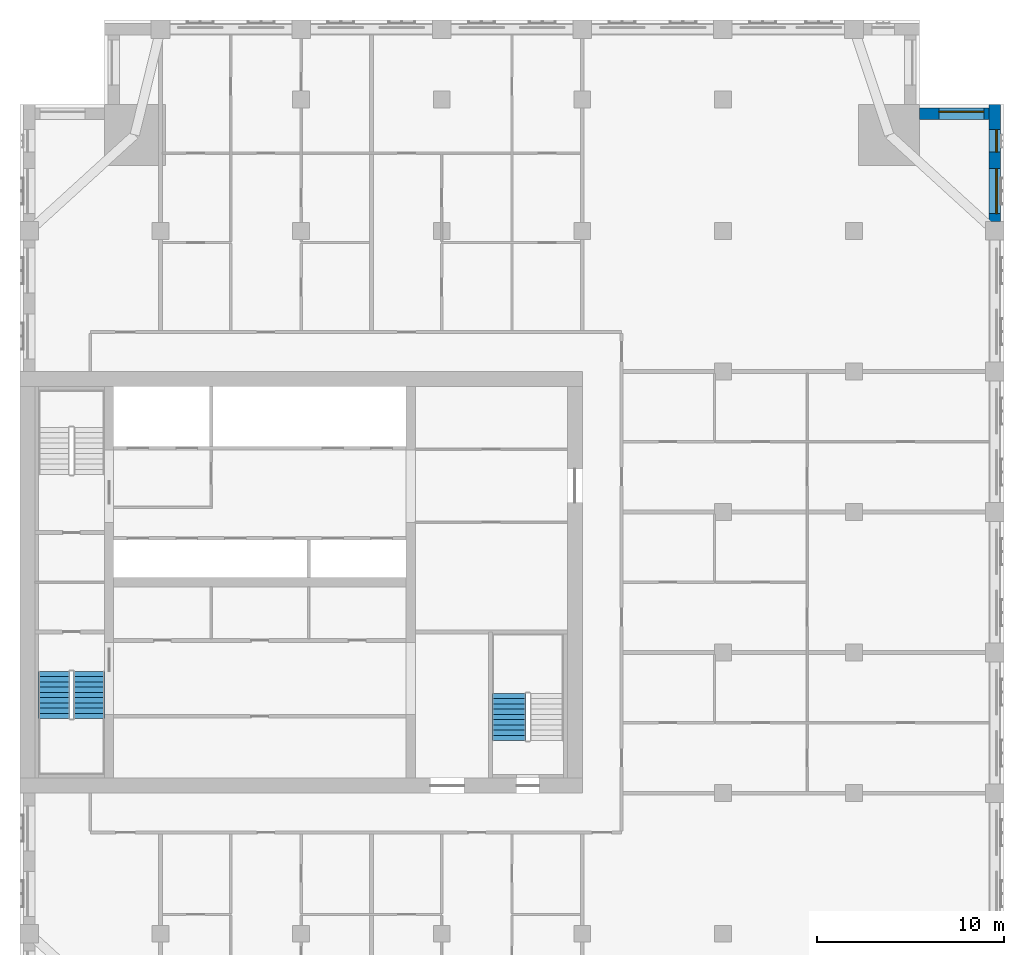
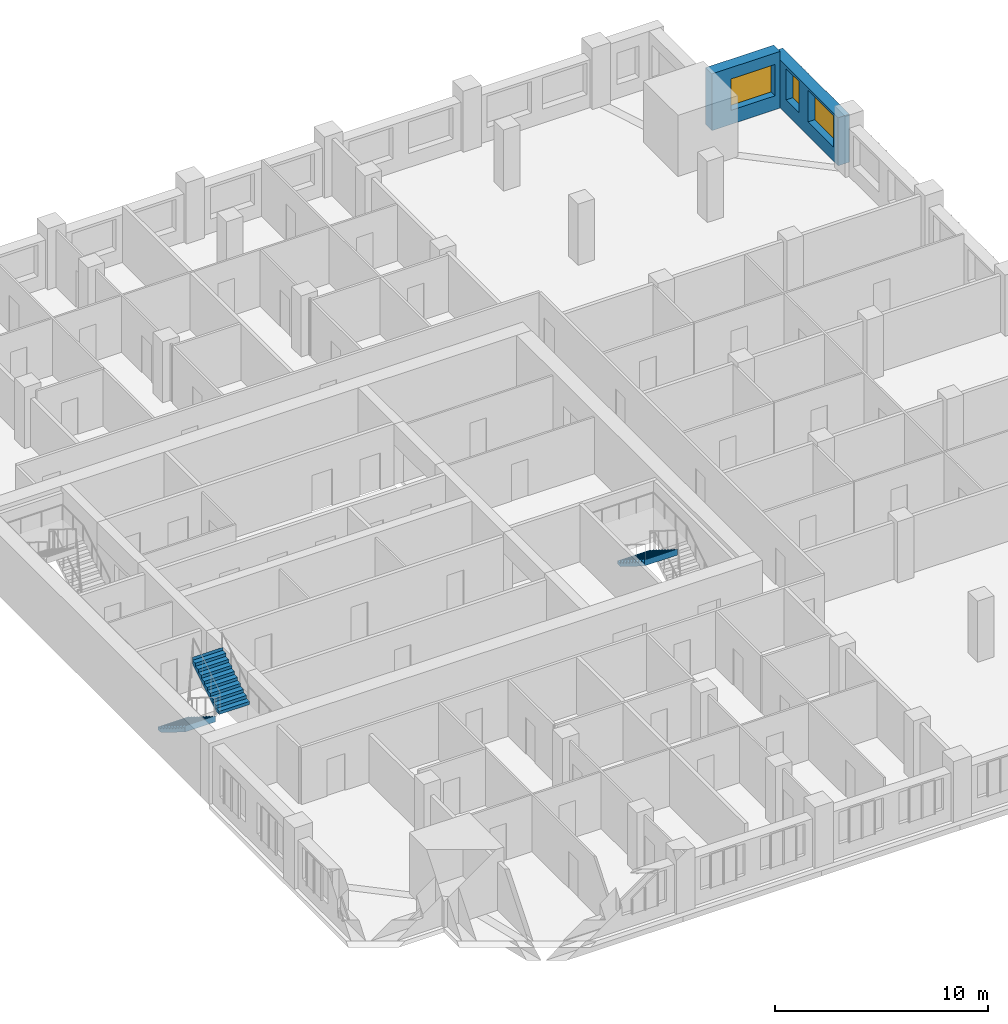
# One storey, part 12 of 14: 3 stair flights, 3 windows, 2 walls, 3 openings, 2 elements without a shape of their own.
"""IFC4 building model written with IfcOpenShell, lengths in metres."""

from ifc_helpers import new_model, si_unit, direction, frame, frame_2d, origin, place, context, subcontext, project, spatial, polyline, rectangle, outline, extrude, material, layer, layer_set, type_object, element, fill, aggregate, save


model = new_model("IFC4")

# Units and contexts
model_context = context("Model", 3, precision=1e-05, world=origin(), true_north=direction((0.0, 1.0)))
body_context = subcontext(model_context, "Body", "Model", "MODEL_VIEW")
ifc_project = project(units=[si_unit("LENGTHUNIT", "METRE"), si_unit("AREAUNIT", "SQUARE_METRE"), si_unit("VOLUMEUNIT", "CUBIC_METRE"), si_unit("PLANEANGLEUNIT", "RADIAN"), si_unit("MASSUNIT", "GRAM", prefix="KILO")], contexts=[model_context])

# Site, building, storey
site_placement = place(None, origin())
site = spatial("IfcSite", under=ifc_project, at=site_placement, CompositionType="ELEMENT")
building_placement = place(site_placement, origin())
building = spatial("IfcBuilding", under=site, at=building_placement, Name="Tamorin Gate", CompositionType="ELEMENT")
storey_placement = place(building_placement, frame((0.0, 0.0, 182.699951171875)))
storey = spatial("IfcBuildingStorey", under=building, at=storey_placement, Name="L44", CompositionType="ELEMENT", Elevation=182.699951171875)

# Wall, openings, windows
ifc_material_1 = material(Name="Precast concrete C40/50", Category="concrete")
ifc_layer = layer(ifc_material_1, 0.60009765625)
ifc_layer_set = layer_set([ifc_layer], Name="Precast concrete C40/50")
wall_type = type_object("IfcWallType", Name="Board-marked concrete facade panel 600", PredefinedType="SOLIDWALL", material=ifc_layer_set)
wall_1_placement = place(storey_placement, frame((82.0, 90.5, 0.0), z_axis=(0.0, 0.0, 1.0), x_axis=(0.0, 1.0, 0.0)))
wall_1 = element("IfcWall", 1, at=wall_1_placement, inside=storey, type_object=wall_type, Name="Facade panel", PredefinedType="SOLIDWALL", context=body_context, shape_type="SweptSolid", body=[
    extrude(rectangle(XDim=6.25, YDim=0.60009765625, at=frame_2d((3.125, 0.0))), origin(), (0.0, 0.0, 1.0), 2.75),
])
opening_1_placement = place(wall_1_placement, frame((0.425048828125, 0.0, 0.800048828125)))
opening_1 = element("IfcOpeningElement", 2, at=opening_1_placement, cuts=wall_1, Name="Opening WN1", PredefinedType="OPENING", context=body_context, shape_type="SweptSolid", body=[
    extrude(rectangle(XDim=2.39990234375, YDim=1.800048828125, at=frame_2d((1.199951171875, 0.89990234375))), frame((0.0, 0.31005859375, 0.0), z_axis=(0.0, -1.0, 0.0), x_axis=(1.0, 0.0, 0.0)), (0.0, 0.0, 1.0), 0.6201171875),
])
opening_2_placement = place(wall_1_placement, frame((3.699951171875, 0.0, 0.800048828125)))
opening_2 = element("IfcOpeningElement", 3, at=opening_2_placement, cuts=wall_1, Name="Opening WN3", PredefinedType="OPENING", context=body_context, shape_type="SweptSolid", body=[
    extrude(rectangle(XDim=1.199951171875, YDim=1.800048828125, at=frame_2d((0.60009765625, 0.89990234375))), frame((0.0, 0.31005859375, 0.0), z_axis=(0.0, -1.0, 0.0), x_axis=(1.0, 0.0, 0.0)), (0.0, 0.0, 1.0), 0.6201171875),
])
ifc_material_2 = material(Name="Clear glass in aluminium frame", Category="aluminium")
window_type_1 = type_object("IfcWindowType", Name="Deep-set window 1200x1800", PartitioningType="SINGLE_PANEL", PredefinedType="WINDOW", material=ifc_material_2)
window_1_placement = place(opening_2_placement, origin())
window_1 = element("IfcWindow", 4, at=window_1_placement, inside=storey, type_object=window_type_1, Name="Deep-set window", OverallHeight=1.800048828125, OverallWidth=1.199951171875, PartitioningType="SINGLE_PANEL", PredefinedType="WINDOW", context=body_context, shape_type="SweptSolid", body=[
    extrude(rectangle(XDim=1.199951171875, YDim=1.800048828125, at=frame_2d((0.60009765625, 0.89990234375))), frame((0.0, -0.070068359375, 0.0), z_axis=(0.0, -1.0, 0.0), x_axis=(1.0, 0.0, 0.0)), (0.0, 0.0, 1.0), 0.06005859375),
])
fill(opening_2, window_1)
window_type_2 = type_object("IfcWindowType", Name="Deep-set window 2400x1800", PartitioningType="SINGLE_PANEL", PredefinedType="WINDOW", material=ifc_material_2)
window_2_placement = place(opening_1_placement, origin())
window_2 = element("IfcWindow", 5, at=window_2_placement, inside=storey, type_object=window_type_2, Name="Deep-set window", OverallHeight=1.800048828125, OverallWidth=2.39990234375, PartitioningType="SINGLE_PANEL", PredefinedType="WINDOW", context=body_context, shape_type="SweptSolid", body=[
    extrude(rectangle(XDim=2.39990234375, YDim=1.800048828125, at=frame_2d((1.199951171875, 0.89990234375))), frame((0.0, -0.070068359375, 0.0), z_axis=(0.0, -1.0, 0.0), x_axis=(1.0, 0.0, 0.0)), (0.0, 0.0, 1.0), 0.06005859375),
])
fill(opening_1, window_2)

# Wall, opening, window
wall_2_placement = place(storey_placement, frame((81.699951171875, 96.25, 0.0), z_axis=(0.0, 0.0, 1.0), x_axis=(-1.0, 0.0, 0.0)))
wall_2 = element("IfcWall", 6, at=wall_2_placement, inside=storey, type_object=wall_type, Name="Facade panel", PredefinedType="SOLIDWALL", context=body_context, shape_type="SweptSolid", body=[
    extrude(rectangle(XDim=3.699951171875, YDim=0.60009765625, at=frame_2d((1.85009765625, 0.0))), origin(), (0.0, 0.0, 1.0), 3.25),
])
opening_3_placement = place(wall_2_placement, frame((0.27490234375, 0.0, 0.800048828125)))
opening_3 = element("IfcOpeningElement", 7, at=opening_3_placement, cuts=wall_2, Name="Opening WN1", PredefinedType="OPENING", context=body_context, shape_type="SweptSolid", body=[
    extrude(rectangle(XDim=2.39990234375, YDim=1.800048828125, at=frame_2d((1.199951171875, 0.89990234375))), frame((0.0, 0.31005859375, 0.0), z_axis=(0.0, -1.0, 0.0), x_axis=(1.0, 0.0, 0.0)), (0.0, 0.0, 1.0), 0.6201171875),
])
window_3_placement = place(opening_3_placement, origin())
window_3 = element("IfcWindow", 8, at=window_3_placement, inside=storey, type_object=window_type_2, Name="Deep-set window", OverallHeight=1.800048828125, OverallWidth=2.39990234375, PartitioningType="SINGLE_PANEL", PredefinedType="WINDOW", context=body_context, shape_type="SweptSolid", body=[
    extrude(rectangle(XDim=2.39990234375, YDim=1.800048828125, at=frame_2d((1.199951171875, 0.89990234375))), frame((0.0, -0.070068359375, 0.0), z_axis=(0.0, -1.0, 0.0), x_axis=(1.0, 0.0, 0.0)), (0.0, 0.0, 1.0), 0.06005859375),
])
fill(opening_3, window_3)

# Stair, stair flights
ifc_material_3 = material(Name="Concrete C40/50", Category="concrete")
stair_type = type_object("IfcStairType", Name="Exit stair", PredefinedType="HALF_TURN_STAIR", material=ifc_material_3)
stair_1_placement = place(storey_placement, origin())
stair_1 = element("IfcStair", 9, at=stair_1_placement, inside=storey, type_object=stair_type, Name="L44 stair ST1", PredefinedType="HALF_TURN_STAIR")
stair_flight_type = type_object("IfcStairFlightType", Name="Exit stair flight", PredefinedType="STRAIGHT", material=ifc_material_3)
stair_flight_1_placement = place(storey_placement, frame((31.824951171875, 66.5, 0.0), z_axis=(0.0, 0.0, 1.0), x_axis=(0.0, -1.0, 0.0)))
stair_flight_1 = element("IfcStairFlight", 10, at=stair_flight_1_placement, type_object=stair_flight_type, Name="ST1 flight 1", NumberOfRisers=10, NumberOfTreads=9, PredefinedType="STRAIGHT", RiserHeight=0.175, TreadLength=0.28, context=body_context, shape_type="SweptSolid", body=[
    extrude(outline(polyline([(-0.00048828125, 0.0), (-0.00048828125, 0.001708984375), (-0.00048828125, 0.00341796875), (-0.00048828125, 0.005126953125), (-0.00048828125, 0.0068359375), (-0.00048828125, 0.008544921875), (-0.00048828125, 0.010498046875), (-0.00048828125, 0.01220703125), (-0.00048828125, 0.013916015625), (-0.00048828125, 0.015625), (-0.00048828125, 0.017333984375), (-0.00048828125, 0.01904296875), (-0.00048828125, 0.020751953125), (-0.00048828125, 0.0224609375), (-0.00048828125, 0.024169921875), (-0.00048828125, 0.02587890625), (-0.00048828125, 0.02783203125), (-0.00048828125, 0.029541015625), (-0.00048828125, 0.03125), (-0.00048828125, 0.032958984375), (-0.00048828125, 0.03466796875), (-0.00048828125, 0.036376953125), (-0.00048828125, 0.0380859375), (-0.00048828125, 0.039794921875), (-0.00048828125, 0.04150390625), (-0.00048828125, 0.043212890625), (-0.00048828125, 0.045166015625), (-0.00048828125, 0.046875), (-0.00048828125, 0.048583984375), (-0.00048828125, 0.05029296875), (-0.00048828125, 0.052001953125), (-0.00048828125, 0.0537109375), (-0.00048828125, 0.055419921875), (-0.00048828125, 0.05712890625), (-0.00048828125, 0.058837890625), (-0.00048828125, 0.060546875), (-0.00048828125, 0.062255859375), (-0.00048828125, 0.064208984375), (-0.00048828125, 0.06591796875), (-0.00048828125, 0.067626953125), (-0.00048828125, 0.0693359375), (-0.00048828125, 0.071044921875), (-0.00048828125, 0.07275390625), (-0.00048828125, 0.074462890625), (-0.00048828125, 0.076171875), (-0.00048828125, 0.077880859375), (-0.00048828125, 0.07958984375), (-0.00048828125, 0.08154296875), (-0.00048828125, 0.083251953125), (-0.00048828125, 0.0849609375), (-0.00048828125, 0.086669921875), (-0.00048828125, 0.08837890625), (-0.00048828125, 0.090087890625), (-0.00048828125, 0.091796875), (-0.00048828125, 0.093505859375), (-0.00048828125, 0.09521484375), (-0.00048828125, 0.096923828125), (-0.00048828125, 0.098876953125), (-0.00048828125, 0.1005859375), (-0.00048828125, 0.102294921875), (-0.00048828125, 0.10400390625), (-0.00048828125, 0.105712890625), (-0.00048828125, 0.107421875), (-0.00048828125, 0.109130859375), (-0.00048828125, 0.11083984375), (-0.00048828125, 0.112548828125), (-0.00048828125, 0.1142578125), (-0.00048828125, 0.1162109375), (-0.00048828125, 0.117919921875), (-0.00048828125, 0.11962890625), (-0.00048828125, 0.121337890625), (-0.00048828125, 0.123046875), (-0.00048828125, 0.124755859375), (-0.00048828125, 0.12646484375), (-0.00048828125, 0.128173828125), (-0.00048828125, 0.1298828125), (-0.00048828125, 0.131591796875), (-0.00048828125, 0.13330078125), (-0.00048828125, 0.13525390625), (-0.00048828125, 0.136962890625), (-0.00048828125, 0.138671875), (-0.00048828125, 0.140380859375), (-0.00048828125, 0.14208984375), (-0.00048828125, 0.143798828125), (-0.00048828125, 0.1455078125), (-0.00048828125, 0.147216796875), (-0.00048828125, 0.14892578125), (-0.00048828125, 0.150634765625), (-0.00048828125, 0.152587890625), (-0.00048828125, 0.154296875), (-0.00048828125, 0.156005859375), (-0.00048828125, 0.15771484375), (-0.00048828125, 0.159423828125), (-0.00048828125, 0.1611328125), (-0.00048828125, 0.162841796875), (-0.00048828125, 0.16455078125), (-0.00048828125, 0.166259765625), (-0.00048828125, 0.16796875), (-0.00048828125, 0.169921875), (-0.00048828125, 0.171630859375), (-0.00048828125, 0.17333984375), (-0.00048828125, 0.175048828125), (0.280029296875, 0.175048828125), (0.280029296875, 0.35009765625), (0.56005859375, 0.35009765625), (0.56005859375, 0.52490234375), (0.840087890625, 0.52490234375), (0.840087890625, 0.699951171875), (1.1201171875, 0.699951171875), (1.1201171875, 0.875), (1.39990234375, 0.875), (1.39990234375, 1.050048828125), (1.679931640625, 1.050048828125), (1.679931640625, 1.22509765625), (1.9599609375, 1.22509765625), (1.9599609375, 1.39990234375), (2.239990234375, 1.39990234375), (2.239990234375, 1.574951171875), (2.52001953125, 1.574951171875), (2.52001953125, 1.75), (2.5205078125, 1.75), (2.5205078125, 1.74658203125), (2.5205078125, 1.742919921875), (2.5205078125, 1.739501953125), (2.5205078125, 1.736083984375), (2.5205078125, 1.732666015625), (2.5205078125, 1.72900390625), (2.5205078125, 1.7255859375), (2.5205078125, 1.72216796875), (2.5205078125, 1.71875), (2.5205078125, 1.715087890625), (2.5205078125, 1.711669921875), (2.5205078125, 1.708251953125), (2.5205078125, 1.704833984375), (2.5205078125, 1.701171875), (2.5205078125, 1.69775390625), (2.5205078125, 1.6943359375), (2.5205078125, 1.690673828125), (2.5205078125, 1.687255859375), (2.5205078125, 1.683837890625), (2.5205078125, 1.680419921875), (2.5205078125, 1.6767578125), (2.5205078125, 1.67333984375), (2.5205078125, 1.669921875), (2.5205078125, 1.66650390625), (2.5205078125, 1.662841796875), (2.5205078125, 1.659423828125), (2.5205078125, 1.656005859375), (2.5205078125, 1.652587890625), (2.5205078125, 1.64892578125), (2.5205078125, 1.6455078125), (2.5205078125, 1.64208984375), (2.5205078125, 1.638427734375), (2.5205078125, 1.635009765625), (2.5205078125, 1.631591796875), (2.5205078125, 1.628173828125), (2.5205078125, 1.62451171875), (2.5205078125, 1.62109375), (2.5205078125, 1.61767578125), (2.5205078125, 1.6142578125), (2.5205078125, 1.610595703125), (2.5205078125, 1.607177734375), (2.5205078125, 1.603759765625), (2.5205078125, 1.600341796875), (2.5205078125, 1.5966796875), (2.5205078125, 1.59326171875), (2.5205078125, 1.58984375), (2.5205078125, 1.58642578125), (2.5205078125, 1.582763671875), (2.5205078125, 1.579345703125), (2.5205078125, 1.575927734375), (2.5205078125, 1.572265625), (2.5205078125, 1.56884765625), (2.5205078125, 1.5654296875), (2.5205078125, 1.56201171875), (2.5205078125, 1.558349609375), (2.5205078125, 1.554931640625), (2.5205078125, 1.551513671875), (2.5205078125, 1.548095703125), (2.5205078125, 1.54443359375), (2.5205078125, 1.541015625), (2.5205078125, 1.53759765625), (2.5205078125, 1.5341796875), (2.5205078125, 1.530517578125), (2.5205078125, 1.527099609375), (2.5205078125, 1.523681640625), (2.5205078125, 1.52001953125), (2.5205078125, 1.5166015625), (2.5205078125, 1.51318359375), (2.5205078125, 1.509765625), (2.5205078125, 1.506103515625), (2.5205078125, 1.502685546875), (2.5205078125, 1.499267578125), (2.5205078125, 1.495849609375), (2.5205078125, 1.4921875), (2.5205078125, 1.48876953125), (2.5205078125, 1.4853515625), (2.5205078125, 1.48193359375), (2.5205078125, 1.478271484375), (2.5205078125, 1.474853515625), (2.5205078125, 1.471435546875), (2.5205078125, 1.4677734375), (2.5205078125, 1.46435546875), (2.5205078125, 1.4609375), (2.5205078125, 1.45751953125), (2.5205078125, 1.453857421875), (2.5205078125, 1.450439453125), (2.5205078125, 1.447021484375), (2.5205078125, 1.443603515625), (2.5205078125, 1.43994140625), (2.5205078125, 1.4365234375), (2.5205078125, 1.43310546875), (2.5205078125, 1.4296875), (2.5205078125, 1.426025390625), (2.5205078125, 1.422607421875), (2.5205078125, 1.419189453125), (2.5205078125, 1.41552734375), (2.5205078125, 1.412109375), (2.5205078125, 1.40869140625), (2.5205078125, 1.4052734375), (2.5205078125, 1.401611328125), (2.5205078125, 1.398193359375), (2.52001953125, 1.398193359375), (0.28271484375, 0.0), (-0.00048828125, 0.0)])), frame((0.0, 0.824951171875, 0.0), z_axis=(0.0, -1.0, 0.0), x_axis=(1.0, 0.0, 0.0)), (0.0, 0.0, 1.0), 1.64990234375),
])
stair_flight_2_placement = place(storey_placement, frame((33.675048828125, 63.97998046875, 1.75), z_axis=(0.0, 0.0, 1.0), x_axis=(0.0, 1.0, 0.0)))
stair_flight_2 = element("IfcStairFlight", 11, at=stair_flight_2_placement, type_object=stair_flight_type, Name="ST1 flight 2", NumberOfRisers=10, NumberOfTreads=9, PredefinedType="STRAIGHT", RiserHeight=0.175, TreadLength=0.28, context=body_context, shape_type="SweptSolid", body=[
    extrude(outline(polyline([(-0.00048828125, 0.0), (-0.00048828125, 0.001708984375), (-0.00048828125, 0.00341796875), (-0.00048828125, 0.005126953125), (-0.00048828125, 0.0068359375), (-0.00048828125, 0.008544921875), (-0.00048828125, 0.010498046875), (-0.00048828125, 0.01220703125), (-0.00048828125, 0.013916015625), (-0.00048828125, 0.015625), (-0.00048828125, 0.017333984375), (-0.00048828125, 0.01904296875), (-0.00048828125, 0.020751953125), (-0.00048828125, 0.0224609375), (-0.00048828125, 0.024169921875), (-0.00048828125, 0.02587890625), (-0.00048828125, 0.02783203125), (-0.00048828125, 0.029541015625), (-0.00048828125, 0.03125), (-0.00048828125, 0.032958984375), (-0.00048828125, 0.03466796875), (-0.00048828125, 0.036376953125), (-0.00048828125, 0.0380859375), (-0.00048828125, 0.039794921875), (-0.00048828125, 0.04150390625), (-0.00048828125, 0.043212890625), (-0.00048828125, 0.045166015625), (-0.00048828125, 0.046875), (-0.00048828125, 0.048583984375), (-0.00048828125, 0.05029296875), (-0.00048828125, 0.052001953125), (-0.00048828125, 0.0537109375), (-0.00048828125, 0.055419921875), (-0.00048828125, 0.05712890625), (-0.00048828125, 0.058837890625), (-0.00048828125, 0.060546875), (-0.00048828125, 0.062255859375), (-0.00048828125, 0.064208984375), (-0.00048828125, 0.06591796875), (-0.00048828125, 0.067626953125), (-0.00048828125, 0.0693359375), (-0.00048828125, 0.071044921875), (-0.00048828125, 0.07275390625), (-0.00048828125, 0.074462890625), (-0.00048828125, 0.076171875), (-0.00048828125, 0.077880859375), (-0.00048828125, 0.07958984375), (-0.00048828125, 0.08154296875), (-0.00048828125, 0.083251953125), (-0.00048828125, 0.0849609375), (-0.00048828125, 0.086669921875), (-0.00048828125, 0.08837890625), (-0.00048828125, 0.090087890625), (-0.00048828125, 0.091796875), (-0.00048828125, 0.093505859375), (-0.00048828125, 0.09521484375), (-0.00048828125, 0.096923828125), (-0.00048828125, 0.098876953125), (-0.00048828125, 0.1005859375), (-0.00048828125, 0.102294921875), (-0.00048828125, 0.10400390625), (-0.00048828125, 0.105712890625), (-0.00048828125, 0.107421875), (-0.00048828125, 0.109130859375), (-0.00048828125, 0.11083984375), (-0.00048828125, 0.112548828125), (-0.00048828125, 0.1142578125), (-0.00048828125, 0.1162109375), (-0.00048828125, 0.117919921875), (-0.00048828125, 0.11962890625), (-0.00048828125, 0.121337890625), (-0.00048828125, 0.123046875), (-0.00048828125, 0.124755859375), (-0.00048828125, 0.12646484375), (-0.00048828125, 0.128173828125), (-0.00048828125, 0.1298828125), (-0.00048828125, 0.131591796875), (-0.00048828125, 0.13330078125), (-0.00048828125, 0.13525390625), (-0.00048828125, 0.136962890625), (-0.00048828125, 0.138671875), (-0.00048828125, 0.140380859375), (-0.00048828125, 0.14208984375), (-0.00048828125, 0.143798828125), (-0.00048828125, 0.1455078125), (-0.00048828125, 0.147216796875), (-0.00048828125, 0.14892578125), (-0.00048828125, 0.150634765625), (-0.00048828125, 0.152587890625), (-0.00048828125, 0.154296875), (-0.00048828125, 0.156005859375), (-0.00048828125, 0.15771484375), (-0.00048828125, 0.159423828125), (-0.00048828125, 0.1611328125), (-0.00048828125, 0.162841796875), (-0.00048828125, 0.16455078125), (-0.00048828125, 0.166259765625), (-0.00048828125, 0.16796875), (-0.00048828125, 0.169921875), (-0.00048828125, 0.171630859375), (-0.00048828125, 0.17333984375), (-0.00048828125, 0.175048828125), (0.280029296875, 0.175048828125), (0.280029296875, 0.35009765625), (0.56005859375, 0.35009765625), (0.56005859375, 0.52490234375), (0.840087890625, 0.52490234375), (0.840087890625, 0.699951171875), (1.1201171875, 0.699951171875), (1.1201171875, 0.875), (1.39990234375, 0.875), (1.39990234375, 1.050048828125), (1.679931640625, 1.050048828125), (1.679931640625, 1.22509765625), (1.9599609375, 1.22509765625), (1.9599609375, 1.39990234375), (2.239990234375, 1.39990234375), (2.239990234375, 1.574951171875), (2.52001953125, 1.574951171875), (2.52001953125, 1.75), (2.5205078125, 1.75), (2.5205078125, 1.74658203125), (2.5205078125, 1.742919921875), (2.5205078125, 1.739501953125), (2.5205078125, 1.736083984375), (2.5205078125, 1.732666015625), (2.5205078125, 1.72900390625), (2.5205078125, 1.7255859375), (2.5205078125, 1.72216796875), (2.5205078125, 1.71875), (2.5205078125, 1.715087890625), (2.5205078125, 1.711669921875), (2.5205078125, 1.708251953125), (2.5205078125, 1.704833984375), (2.5205078125, 1.701171875), (2.5205078125, 1.69775390625), (2.5205078125, 1.6943359375), (2.5205078125, 1.690673828125), (2.5205078125, 1.687255859375), (2.5205078125, 1.683837890625), (2.5205078125, 1.680419921875), (2.5205078125, 1.6767578125), (2.5205078125, 1.67333984375), (2.5205078125, 1.669921875), (2.5205078125, 1.66650390625), (2.5205078125, 1.662841796875), (2.5205078125, 1.659423828125), (2.5205078125, 1.656005859375), (2.5205078125, 1.652587890625), (2.5205078125, 1.64892578125), (2.5205078125, 1.6455078125), (2.5205078125, 1.64208984375), (2.5205078125, 1.638427734375), (2.5205078125, 1.635009765625), (2.5205078125, 1.631591796875), (2.5205078125, 1.628173828125), (2.5205078125, 1.62451171875), (2.5205078125, 1.62109375), (2.5205078125, 1.61767578125), (2.5205078125, 1.6142578125), (2.5205078125, 1.610595703125), (2.5205078125, 1.607177734375), (2.5205078125, 1.603759765625), (2.5205078125, 1.600341796875), (2.5205078125, 1.5966796875), (2.5205078125, 1.59326171875), (2.5205078125, 1.58984375), (2.5205078125, 1.58642578125), (2.5205078125, 1.582763671875), (2.5205078125, 1.579345703125), (2.5205078125, 1.575927734375), (2.5205078125, 1.572265625), (2.5205078125, 1.56884765625), (2.5205078125, 1.5654296875), (2.5205078125, 1.56201171875), (2.5205078125, 1.558349609375), (2.5205078125, 1.554931640625), (2.5205078125, 1.551513671875), (2.5205078125, 1.548095703125), (2.5205078125, 1.54443359375), (2.5205078125, 1.541015625), (2.5205078125, 1.53759765625), (2.5205078125, 1.5341796875), (2.5205078125, 1.530517578125), (2.5205078125, 1.527099609375), (2.5205078125, 1.523681640625), (2.5205078125, 1.52001953125), (2.5205078125, 1.5166015625), (2.5205078125, 1.51318359375), (2.5205078125, 1.509765625), (2.5205078125, 1.506103515625), (2.5205078125, 1.502685546875), (2.5205078125, 1.499267578125), (2.5205078125, 1.495849609375), (2.5205078125, 1.4921875), (2.5205078125, 1.48876953125), (2.5205078125, 1.4853515625), (2.5205078125, 1.48193359375), (2.5205078125, 1.478271484375), (2.5205078125, 1.474853515625), (2.5205078125, 1.471435546875), (2.5205078125, 1.4677734375), (2.5205078125, 1.46435546875), (2.5205078125, 1.4609375), (2.5205078125, 1.45751953125), (2.5205078125, 1.453857421875), (2.5205078125, 1.450439453125), (2.5205078125, 1.447021484375), (2.5205078125, 1.443603515625), (2.5205078125, 1.43994140625), (2.5205078125, 1.4365234375), (2.5205078125, 1.43310546875), (2.5205078125, 1.4296875), (2.5205078125, 1.426025390625), (2.5205078125, 1.422607421875), (2.5205078125, 1.419189453125), (2.5205078125, 1.41552734375), (2.5205078125, 1.412109375), (2.5205078125, 1.40869140625), (2.5205078125, 1.4052734375), (2.5205078125, 1.401611328125), (2.5205078125, 1.398193359375), (2.52001953125, 1.398193359375), (0.28271484375, 0.0), (-0.00048828125, 0.0)])), frame((0.0, 0.824951171875, 0.0), z_axis=(0.0, -1.0, 0.0), x_axis=(1.0, 0.0, 0.0)), (0.0, 0.0, 1.0), 1.64990234375),
])
aggregate(stair_1, [stair_flight_1, stair_flight_2])

# Stair, stair flight
stair_2_placement = place(storey_placement, origin())
stair_2 = element("IfcStair", 12, at=stair_2_placement, inside=storey, type_object=stair_type, Name="L44 stair ST3", PredefinedType="HALF_TURN_STAIR")
stair_flight_3_placement = place(storey_placement, frame((56.10009765625, 65.320068359375, 1.75), z_axis=(0.0, 0.0, 1.0), x_axis=(0.0, -1.0, 0.0)))
stair_flight_3 = element("IfcStairFlight", 13, at=stair_flight_3_placement, type_object=stair_flight_type, Name="ST3 flight 2", NumberOfRisers=10, NumberOfTreads=9, PredefinedType="STRAIGHT", RiserHeight=0.175, TreadLength=0.28, context=body_context, shape_type="SweptSolid", body=[
    extrude(outline(polyline([(-0.00048828125, 0.0), (-0.00048828125, 0.001708984375), (-0.00048828125, 0.00341796875), (-0.00048828125, 0.005126953125), (-0.00048828125, 0.0068359375), (-0.00048828125, 0.008544921875), (-0.00048828125, 0.010498046875), (-0.00048828125, 0.01220703125), (-0.00048828125, 0.013916015625), (-0.00048828125, 0.015625), (-0.00048828125, 0.017333984375), (-0.00048828125, 0.01904296875), (-0.00048828125, 0.020751953125), (-0.00048828125, 0.0224609375), (-0.00048828125, 0.024169921875), (-0.00048828125, 0.02587890625), (-0.00048828125, 0.02783203125), (-0.00048828125, 0.029541015625), (-0.00048828125, 0.03125), (-0.00048828125, 0.032958984375), (-0.00048828125, 0.03466796875), (-0.00048828125, 0.036376953125), (-0.00048828125, 0.0380859375), (-0.00048828125, 0.039794921875), (-0.00048828125, 0.04150390625), (-0.00048828125, 0.043212890625), (-0.00048828125, 0.045166015625), (-0.00048828125, 0.046875), (-0.00048828125, 0.048583984375), (-0.00048828125, 0.05029296875), (-0.00048828125, 0.052001953125), (-0.00048828125, 0.0537109375), (-0.00048828125, 0.055419921875), (-0.00048828125, 0.05712890625), (-0.00048828125, 0.058837890625), (-0.00048828125, 0.060546875), (-0.00048828125, 0.062255859375), (-0.00048828125, 0.064208984375), (-0.00048828125, 0.06591796875), (-0.00048828125, 0.067626953125), (-0.00048828125, 0.0693359375), (-0.00048828125, 0.071044921875), (-0.00048828125, 0.07275390625), (-0.00048828125, 0.074462890625), (-0.00048828125, 0.076171875), (-0.00048828125, 0.077880859375), (-0.00048828125, 0.07958984375), (-0.00048828125, 0.08154296875), (-0.00048828125, 0.083251953125), (-0.00048828125, 0.0849609375), (-0.00048828125, 0.086669921875), (-0.00048828125, 0.08837890625), (-0.00048828125, 0.090087890625), (-0.00048828125, 0.091796875), (-0.00048828125, 0.093505859375), (-0.00048828125, 0.09521484375), (-0.00048828125, 0.096923828125), (-0.00048828125, 0.098876953125), (-0.00048828125, 0.1005859375), (-0.00048828125, 0.102294921875), (-0.00048828125, 0.10400390625), (-0.00048828125, 0.105712890625), (-0.00048828125, 0.107421875), (-0.00048828125, 0.109130859375), (-0.00048828125, 0.11083984375), (-0.00048828125, 0.112548828125), (-0.00048828125, 0.1142578125), (-0.00048828125, 0.1162109375), (-0.00048828125, 0.117919921875), (-0.00048828125, 0.11962890625), (-0.00048828125, 0.121337890625), (-0.00048828125, 0.123046875), (-0.00048828125, 0.124755859375), (-0.00048828125, 0.12646484375), (-0.00048828125, 0.128173828125), (-0.00048828125, 0.1298828125), (-0.00048828125, 0.131591796875), (-0.00048828125, 0.13330078125), (-0.00048828125, 0.13525390625), (-0.00048828125, 0.136962890625), (-0.00048828125, 0.138671875), (-0.00048828125, 0.140380859375), (-0.00048828125, 0.14208984375), (-0.00048828125, 0.143798828125), (-0.00048828125, 0.1455078125), (-0.00048828125, 0.147216796875), (-0.00048828125, 0.14892578125), (-0.00048828125, 0.150634765625), (-0.00048828125, 0.152587890625), (-0.00048828125, 0.154296875), (-0.00048828125, 0.156005859375), (-0.00048828125, 0.15771484375), (-0.00048828125, 0.159423828125), (-0.00048828125, 0.1611328125), (-0.00048828125, 0.162841796875), (-0.00048828125, 0.16455078125), (-0.00048828125, 0.166259765625), (-0.00048828125, 0.16796875), (-0.00048828125, 0.169921875), (-0.00048828125, 0.171630859375), (-0.00048828125, 0.17333984375), (-0.00048828125, 0.175048828125), (0.280029296875, 0.175048828125), (0.280029296875, 0.35009765625), (0.56005859375, 0.35009765625), (0.56005859375, 0.52490234375), (0.840087890625, 0.52490234375), (0.840087890625, 0.699951171875), (1.1201171875, 0.699951171875), (1.1201171875, 0.875), (1.39990234375, 0.875), (1.39990234375, 1.050048828125), (1.679931640625, 1.050048828125), (1.679931640625, 1.22509765625), (1.9599609375, 1.22509765625), (1.9599609375, 1.39990234375), (2.239990234375, 1.39990234375), (2.239990234375, 1.574951171875), (2.52001953125, 1.574951171875), (2.52001953125, 1.75), (2.5205078125, 1.75), (2.5205078125, 1.74658203125), (2.5205078125, 1.742919921875), (2.5205078125, 1.739501953125), (2.5205078125, 1.736083984375), (2.5205078125, 1.732666015625), (2.5205078125, 1.72900390625), (2.5205078125, 1.7255859375), (2.5205078125, 1.72216796875), (2.5205078125, 1.71875), (2.5205078125, 1.715087890625), (2.5205078125, 1.711669921875), (2.5205078125, 1.708251953125), (2.5205078125, 1.704833984375), (2.5205078125, 1.701171875), (2.5205078125, 1.69775390625), (2.5205078125, 1.6943359375), (2.5205078125, 1.690673828125), (2.5205078125, 1.687255859375), (2.5205078125, 1.683837890625), (2.5205078125, 1.680419921875), (2.5205078125, 1.6767578125), (2.5205078125, 1.67333984375), (2.5205078125, 1.669921875), (2.5205078125, 1.66650390625), (2.5205078125, 1.662841796875), (2.5205078125, 1.659423828125), (2.5205078125, 1.656005859375), (2.5205078125, 1.652587890625), (2.5205078125, 1.64892578125), (2.5205078125, 1.6455078125), (2.5205078125, 1.64208984375), (2.5205078125, 1.638427734375), (2.5205078125, 1.635009765625), (2.5205078125, 1.631591796875), (2.5205078125, 1.628173828125), (2.5205078125, 1.62451171875), (2.5205078125, 1.62109375), (2.5205078125, 1.61767578125), (2.5205078125, 1.6142578125), (2.5205078125, 1.610595703125), (2.5205078125, 1.607177734375), (2.5205078125, 1.603759765625), (2.5205078125, 1.600341796875), (2.5205078125, 1.5966796875), (2.5205078125, 1.59326171875), (2.5205078125, 1.58984375), (2.5205078125, 1.58642578125), (2.5205078125, 1.582763671875), (2.5205078125, 1.579345703125), (2.5205078125, 1.575927734375), (2.5205078125, 1.572265625), (2.5205078125, 1.56884765625), (2.5205078125, 1.5654296875), (2.5205078125, 1.56201171875), (2.5205078125, 1.558349609375), (2.5205078125, 1.554931640625), (2.5205078125, 1.551513671875), (2.5205078125, 1.548095703125), (2.5205078125, 1.54443359375), (2.5205078125, 1.541015625), (2.5205078125, 1.53759765625), (2.5205078125, 1.5341796875), (2.5205078125, 1.530517578125), (2.5205078125, 1.527099609375), (2.5205078125, 1.523681640625), (2.5205078125, 1.52001953125), (2.5205078125, 1.5166015625), (2.5205078125, 1.51318359375), (2.5205078125, 1.509765625), (2.5205078125, 1.506103515625), (2.5205078125, 1.502685546875), (2.5205078125, 1.499267578125), (2.5205078125, 1.495849609375), (2.5205078125, 1.4921875), (2.5205078125, 1.48876953125), (2.5205078125, 1.4853515625), (2.5205078125, 1.48193359375), (2.5205078125, 1.478271484375), (2.5205078125, 1.474853515625), (2.5205078125, 1.471435546875), (2.5205078125, 1.4677734375), (2.5205078125, 1.46435546875), (2.5205078125, 1.4609375), (2.5205078125, 1.45751953125), (2.5205078125, 1.453857421875), (2.5205078125, 1.450439453125), (2.5205078125, 1.447021484375), (2.5205078125, 1.443603515625), (2.5205078125, 1.43994140625), (2.5205078125, 1.4365234375), (2.5205078125, 1.43310546875), (2.5205078125, 1.4296875), (2.5205078125, 1.426025390625), (2.5205078125, 1.422607421875), (2.5205078125, 1.419189453125), (2.5205078125, 1.41552734375), (2.5205078125, 1.412109375), (2.5205078125, 1.40869140625), (2.5205078125, 1.4052734375), (2.5205078125, 1.401611328125), (2.5205078125, 1.398193359375), (2.52001953125, 1.398193359375), (0.28271484375, 0.0), (-0.00048828125, 0.0)])), frame((0.0, 0.89990234375, 0.0), z_axis=(0.0, -1.0, 0.0), x_axis=(1.0, 0.0, 0.0)), (0.0, 0.0, 1.0), 1.800048828125),
])
aggregate(stair_2, [stair_flight_3])

save(model, "model.ifc")
